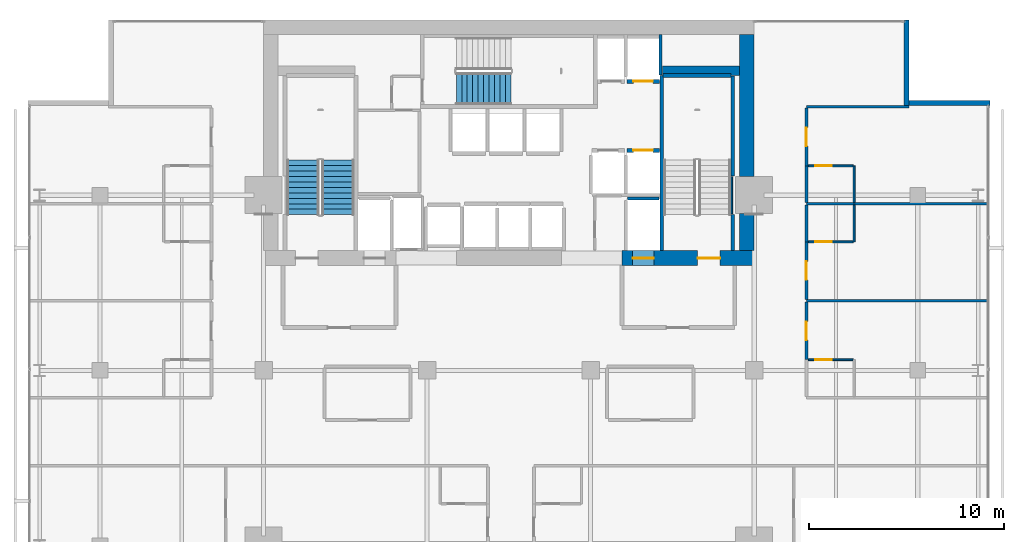
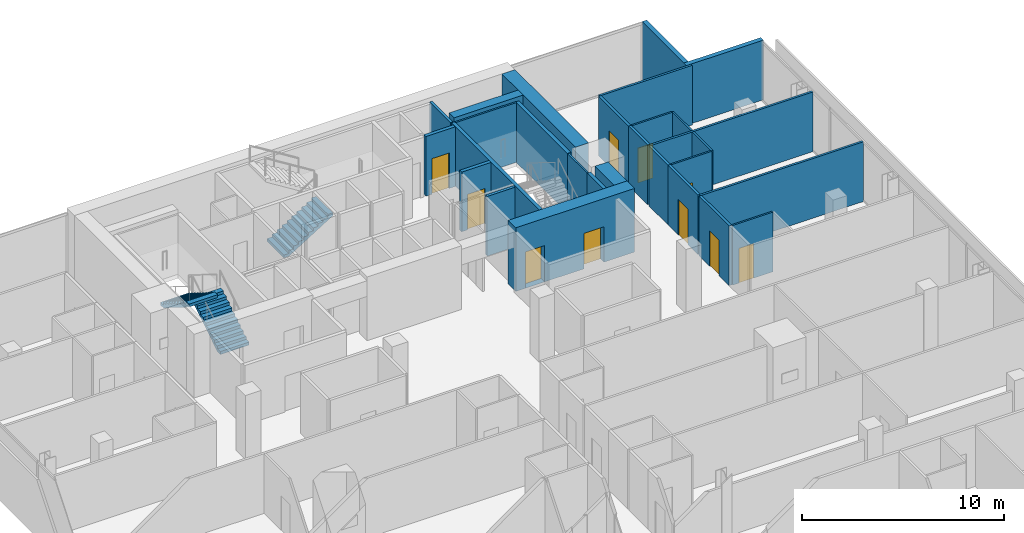
# One storey, part 31 of 34: 28 walls, 10 doors, 3 stair flights, 10 openings, 2 elements without a shape of their own.
"""IFC4 building model written with IfcOpenShell, lengths in metres."""

from ifc_helpers import new_model, si_unit, direction, frame, frame_2d, origin, place, context, subcontext, project, spatial, polyline, rectangle, outline, extrude, material, layer, layer_set, type_object, element, fill, aggregate, save


model = new_model("IFC4")

# Units and contexts
model_context = context("Model", 3, precision=1e-05, world=origin(), true_north=direction((0.0, 1.0)))
body_context = subcontext(model_context, "Body", "Model", "MODEL_VIEW")
ifc_project = project(units=[si_unit("LENGTHUNIT", "METRE"), si_unit("AREAUNIT", "SQUARE_METRE"), si_unit("VOLUMEUNIT", "CUBIC_METRE"), si_unit("PLANEANGLEUNIT", "RADIAN"), si_unit("MASSUNIT", "GRAM", prefix="KILO")], contexts=[model_context])

# Site, building, storey
site_placement = place(None, origin())
site = spatial("IfcSite", under=ifc_project, at=site_placement, CompositionType="ELEMENT")
building_placement = place(site_placement, origin())
building = spatial("IfcBuilding", under=site, at=building_placement, Name="Maruvema Waterfront Hotel and Observation Tower", CompositionType="ELEMENT")
storey_placement = place(building_placement, frame((0.0, 0.0, 212.10009765625)))
storey = spatial("IfcBuildingStorey", under=building, at=storey_placement, Name="L52", CompositionType="ELEMENT", Elevation=212.10009765625)

# Wall, opening, door
ifc_material_1 = material(Name="Twin-stud acoustic gypsum drywall", Category="gypsum")
ifc_layer_1 = layer(ifc_material_1, 0.14990234375, Name="Acoustic Corridor and Suite Demising Wall 150 mm")
ifc_layer_set_1 = layer_set([ifc_layer_1], Name="Twin-stud acoustic gypsum drywall")
wall_type_1 = type_object("IfcWallType", Name="Acoustic Corridor and Suite Demising Wall 150 mm", PredefinedType="PARTITIONING", material=ifc_layer_set_1)
wall_1_placement = place(storey_placement, frame((53.080078125, 36.550048828125, 0.0), z_axis=(0.0, 0.0, 1.0), x_axis=(0.0, 1.0, 0.0)))
wall_1 = element("IfcWall", 1, at=wall_1_placement, inside=storey, type_object=wall_type_1, Name="L52 Room L52-NE1 Corridor Wall 101", PredefinedType="PARTITIONING", context=body_context, shape_type="SweptSolid", body=[
    extrude(rectangle(XDim=2.96923828125, YDim=0.14990234375, at=frame_2d((1.484619140625, 0.0))), origin(), (0.0, 0.0, 1.0), 3.60986328125),
])
opening_1_placement = place(wall_1_placement, frame((1.009521484375, 0.0, 0.0)))
opening_1 = element("IfcOpeningElement", 2, at=opening_1_placement, cuts=wall_1, Name="Opening DR-095", PredefinedType="OPENING", context=body_context, shape_type="SweptSolid", body=[
    extrude(rectangle(XDim=0.949951171875, YDim=2.14990234375, at=frame_2d((0.47509765625, 1.074951171875))), frame((0.0, 0.0849609375, 0.0), z_axis=(0.0, -1.0, 0.0), x_axis=(1.0, 0.0, 0.0)), (0.0, 0.0, 1.0), 0.169921875),
])
ifc_material_2 = material(Name="Acoustic solid-core hardwood timber leaf", Category="wood")
door_type_1 = type_object("IfcDoorType", Name="Guestroom Entrance Fire Door 950x2150 mm", OperationType="NOTDEFINED", PredefinedType="DOOR", material=ifc_material_2)
door_1_placement = place(opening_1_placement, frame((0.949951171875, 0.0, 0.0), z_axis=(0.0, 0.0, 1.0), x_axis=(-1.0, 0.0, 0.0)))
door_1 = element("IfcDoor", 3, at=door_1_placement, inside=storey, type_object=door_type_1, Name="L52 Room L52-NE1 Entrance Door", OperationType="SINGLE_SWING_RIGHT", OverallHeight=2.14990234375, OverallWidth=0.949951171875, PredefinedType="DOOR", context=body_context, shape_type="SweptSolid", body=[
    extrude(rectangle(XDim=0.949951171875, YDim=2.14990234375, at=frame_2d((0.47509765625, 1.074951171875))), frame((0.0, 0.02490234375, 0.0), z_axis=(0.0, -1.0, 0.0), x_axis=(1.0, 0.0, 0.0)), (0.0, 0.0, 1.0), 0.050048828125),
])
fill(opening_1, door_1)

wall_2_placement = place(storey_placement, frame((53.080078125, 39.63916015625, 0.0), z_axis=(0.0, 0.0, 1.0), x_axis=(0.0, 1.0, 0.0)))
wall_2 = element("IfcWall", 4, at=wall_2_placement, inside=storey, type_object=wall_type_1, Name="L52 Room L52-NE2 Corridor Wall 110", PredefinedType="PARTITIONING", context=body_context, shape_type="SweptSolid", body=[
    extrude(rectangle(XDim=2.96923828125, YDim=0.14990234375, at=frame_2d((1.484619140625, 0.0))), origin(), (0.0, 0.0, 1.0), 3.60986328125),
])
opening_2_placement = place(wall_2_placement, frame((1.009521484375, 0.0, 0.0)))
opening_2 = element("IfcOpeningElement", 5, at=opening_2_placement, cuts=wall_2, Name="Opening DR-095", PredefinedType="OPENING", context=body_context, shape_type="SweptSolid", body=[
    extrude(rectangle(XDim=0.949951171875, YDim=2.14990234375, at=frame_2d((0.47509765625, 1.074951171875))), frame((0.0, 0.0849609375, 0.0), z_axis=(0.0, -1.0, 0.0), x_axis=(1.0, 0.0, 0.0)), (0.0, 0.0, 1.0), 0.169921875),
])
door_2_placement = place(opening_2_placement, frame((0.949951171875, 0.0, 0.0), z_axis=(0.0, 0.0, 1.0), x_axis=(-1.0, 0.0, 0.0)))
door_2 = element("IfcDoor", 6, at=door_2_placement, inside=storey, type_object=door_type_1, Name="L52 Room L52-NE2 Entrance Door", OperationType="SINGLE_SWING_RIGHT", OverallHeight=2.14990234375, OverallWidth=0.949951171875, PredefinedType="DOOR", context=body_context, shape_type="SweptSolid", body=[
    extrude(rectangle(XDim=0.949951171875, YDim=2.14990234375, at=frame_2d((0.47509765625, 1.074951171875))), frame((0.0, 0.02490234375, 0.0), z_axis=(0.0, -1.0, 0.0), x_axis=(1.0, 0.0, 0.0)), (0.0, 0.0, 1.0), 0.050048828125),
])
fill(opening_2, door_2)

# Walls
for number, where, z_axis, x_axis, name in (
    (7, (53.080078125, 42.6083984375, 0.0), (0.0, 0.0, 1.0), (0.0, 1.0, 0.0), "L52 Bath L52-NE2 Wall 111"),
    (8, (53.080078125, 44.618408203125, 0.0), (0.0, 0.0, 1.0), (0.0, 1.0, 0.0), "L52 Bath L52-NE3 Wall 120"),
):
    element("IfcWall", number, at=place(storey_placement, frame(where, z_axis=z_axis, x_axis=x_axis)), inside=storey, type_object=wall_type_1, Name=name, PredefinedType="PARTITIONING", context=body_context, shape_type="SweptSolid", body=[
        extrude(rectangle(XDim=1.889892578125, YDim=0.14990234375, at=frame_2d((0.94482421875, 0.0))), origin(), (0.0, 0.0, 1.0), 3.60986328125),
    ])

# Wall, opening, door
wall_3_placement = place(storey_placement, frame((53.080078125, 46.50830078125, 0.0), z_axis=(0.0, 0.0, 1.0), x_axis=(0.0, 1.0, 0.0)))
wall_3 = element("IfcWall", 9, at=wall_3_placement, inside=storey, type_object=wall_type_1, Name="L52 Room L52-NE3 Corridor Wall 121", PredefinedType="PARTITIONING", context=body_context, shape_type="SweptSolid", body=[
    extrude(rectangle(XDim=2.96923828125, YDim=0.14990234375, at=frame_2d((1.484619140625, 0.0))), origin(), (0.0, 0.0, 1.0), 3.60986328125),
])
opening_3_placement = place(wall_3_placement, frame((1.009521484375, 0.0, 0.0)))
opening_3 = element("IfcOpeningElement", 10, at=opening_3_placement, cuts=wall_3, Name="Opening DR-095", PredefinedType="OPENING", context=body_context, shape_type="SweptSolid", body=[
    extrude(rectangle(XDim=0.949951171875, YDim=2.14990234375, at=frame_2d((0.47509765625, 1.074951171875))), frame((0.0, 0.0849609375, 0.0), z_axis=(0.0, -1.0, 0.0), x_axis=(1.0, 0.0, 0.0)), (0.0, 0.0, 1.0), 0.169921875),
])
door_3_placement = place(opening_3_placement, frame((0.949951171875, 0.0, 0.0), z_axis=(0.0, 0.0, 1.0), x_axis=(-1.0, 0.0, 0.0)))
door_3 = element("IfcDoor", 11, at=door_3_placement, inside=storey, type_object=door_type_1, Name="L52 Room L52-NE3 Entrance Door", OperationType="SINGLE_SWING_RIGHT", OverallHeight=2.14990234375, OverallWidth=0.949951171875, PredefinedType="DOOR", context=body_context, shape_type="SweptSolid", body=[
    extrude(rectangle(XDim=0.949951171875, YDim=2.14990234375, at=frame_2d((0.47509765625, 1.074951171875))), frame((0.0, 0.02490234375, 0.0), z_axis=(0.0, -1.0, 0.0), x_axis=(1.0, 0.0, 0.0)), (0.0, 0.0, 1.0), 0.050048828125),
])
fill(opening_3, door_3)

# Walls
ifc_material_3 = material(Name="Precast concrete C45/55", Category="concrete")
ifc_layer_2 = layer(ifc_material_3, 0.199951171875, Name="Core Shaft and Stairwell Enclosure Wall 200 mm")
ifc_layer_set_2 = layer_set([ifc_layer_2], Name="Precast concrete C45/55")
wall_type_2 = type_object("IfcWallType", Name="Core Shaft and Stairwell Enclosure Wall 200 mm", PredefinedType="SOLIDWALL", material=ifc_layer_set_2)
wall_4_placement = place(storey_placement, frame((45.64990234375, 42.14990234375, 0.0), z_axis=(0.0, 0.0, 1.0), x_axis=(0.0, 1.0, 0.0)))
element("IfcWall", 12, at=wall_4_placement, inside=storey, type_object=wall_type_2, Name="L52 Stairwell ST-03 West Shaft Wall", PredefinedType="SOLIDWALL", context=body_context, shape_type="SweptSolid", body=[
    extrude(rectangle(XDim=9.0, YDim=0.199951171875, at=frame_2d((4.5, 0.0))), origin(), (0.0, 0.0, 1.0), 3.60986328125),
])
wall_5_placement = place(storey_placement, frame((49.300048828125, 42.14990234375, 0.0), z_axis=(0.0, 0.0, 1.0), x_axis=(0.0, 1.0, 0.0)))
element("IfcWall", 13, at=wall_5_placement, inside=storey, type_object=wall_type_2, Name="L52 Stairwell ST-03 Shaft Lining Wall", PredefinedType="SOLIDWALL", context=body_context, shape_type="SweptSolid", body=[
    extrude(rectangle(XDim=1.8701171875, YDim=0.199951171875, at=frame_2d((0.93505859375, 0.0))), origin(), (0.0, 0.0, 1.0), 3.60986328125),
])
wall_6_placement = place(storey_placement, frame((49.300048828125, 45.97998046875, 0.0), z_axis=(0.0, 0.0, 1.0), x_axis=(0.0, 1.0, 0.0)))
element("IfcWall", 14, at=wall_6_placement, inside=storey, type_object=wall_type_2, Name="L52 Stairwell ST-03 Shaft Lining Wall", PredefinedType="SOLIDWALL", context=body_context, shape_type="SweptSolid", body=[
    extrude(rectangle(XDim=5.14013671875, YDim=0.199951171875, at=frame_2d((2.570068359375, 0.0))), origin(), (0.0, 0.0, 1.0), 3.60986328125),
])
wall_7_placement = place(storey_placement, frame((45.719970703125, 51.14990234375, 0.0), z_axis=(0.0, 0.0, 1.0), x_axis=(1.0, 0.0, 0.0)))
element("IfcWall", 15, at=wall_7_placement, inside=storey, type_object=wall_type_2, Name="L52 Stairwell ST-03 Shaft Lining Wall", PredefinedType="SOLIDWALL", context=body_context, shape_type="SweptSolid", body=[
    extrude(rectangle(XDim=3.5, YDim=0.199951171875, at=frame_2d((1.75, 0.0))), origin(), (0.0, 0.0, 1.0), 3.60986328125),
])

# Wall, opening, door
wall_8_placement = place(storey_placement, frame((43.860107421875, 47.300048828125, 0.0), z_axis=(0.0, 0.0, 1.0), x_axis=(1.0, 0.0, 0.0)))
wall_8 = element("IfcWall", 16, at=wall_8_placement, inside=storey, type_object=wall_type_2, Name="L52 Lift LF-06 Hoistway Front Wall", PredefinedType="SOLIDWALL", context=body_context, shape_type="SweptSolid", body=[
    extrude(rectangle(XDim=1.679931640625, YDim=0.199951171875, at=frame_2d((0.83984375, 0.0))), origin(), (0.0, 0.0, 1.0), 3.60986328125),
])
opening_4_placement = place(wall_8_placement, frame((0.340087890625, 0.0, 0.0)))
opening_4 = element("IfcOpeningElement", 17, at=opening_4_placement, cuts=wall_8, Name="Opening LD-01", PredefinedType="OPENING", context=body_context, shape_type="SweptSolid", body=[
    extrude(rectangle(XDim=1.0, YDim=2.14990234375, at=frame_2d((0.5, 1.074951171875))), frame((0.0, 0.10986328125, 0.0), z_axis=(0.0, -1.0, 0.0), x_axis=(1.0, 0.0, 0.0)), (0.0, 0.0, 1.0), 0.219970703125),
])
ifc_material_4 = material(Name="Brushed stainless steel Grade 316", Category="steel")
door_type_2 = type_object("IfcDoorType", Name="Passenger Lift Sliding Landing Door 1000x2150 mm", OperationType="SLIDING_TO_LEFT", PredefinedType="DOOR", material=ifc_material_4)
door_4_placement = place(opening_4_placement, origin())
door_4 = element("IfcDoor", 18, at=door_4_placement, inside=storey, type_object=door_type_2, Name="L52 Lift LF-06 Sliding Landing Door", OperationType="SLIDING_TO_LEFT", OverallHeight=2.14990234375, OverallWidth=1.0, PredefinedType="DOOR", context=body_context, shape_type="SweptSolid", body=[
    extrude(rectangle(XDim=1.0, YDim=2.14990234375, at=frame_2d((0.5, 1.074951171875))), frame((0.0, 0.02490234375, 0.0), z_axis=(0.0, -1.0, 0.0), x_axis=(1.0, 0.0, 0.0)), (0.0, 0.0, 1.0), 0.050048828125),
])
fill(opening_4, door_4)

wall_9_placement = place(storey_placement, frame((43.860107421875, 50.85009765625, 0.0), z_axis=(0.0, 0.0, 1.0), x_axis=(1.0, 0.0, 0.0)))
wall_9 = element("IfcWall", 19, at=wall_9_placement, inside=storey, type_object=wall_type_2, Name="L52 Lift LF-08 Hoistway Front Wall", PredefinedType="SOLIDWALL", context=body_context, shape_type="SweptSolid", body=[
    extrude(rectangle(XDim=1.679931640625, YDim=0.199951171875, at=frame_2d((0.83984375, 0.0))), origin(), (0.0, 0.0, 1.0), 3.60986328125),
])
opening_5_placement = place(wall_9_placement, frame((0.340087890625, 0.0, 0.0)))
opening_5 = element("IfcOpeningElement", 20, at=opening_5_placement, cuts=wall_9, Name="Opening LD-01", PredefinedType="OPENING", context=body_context, shape_type="SweptSolid", body=[
    extrude(rectangle(XDim=1.0, YDim=2.14990234375, at=frame_2d((0.5, 1.074951171875))), frame((0.0, 0.10986328125, 0.0), z_axis=(0.0, -1.0, 0.0), x_axis=(1.0, 0.0, 0.0)), (0.0, 0.0, 1.0), 0.219970703125),
])
door_5_placement = place(opening_5_placement, frame((1.0, 0.0, 0.0), z_axis=(0.0, 0.0, 1.0), x_axis=(-1.0, 0.0, 0.0)))
door_5 = element("IfcDoor", 21, at=door_5_placement, inside=storey, type_object=door_type_2, Name="L52 Lift LF-08 Sliding Landing Door", OperationType="SLIDING_TO_LEFT", OverallHeight=2.14990234375, OverallWidth=1.0, PredefinedType="DOOR", context=body_context, shape_type="SweptSolid", body=[
    extrude(rectangle(XDim=1.0, YDim=2.14990234375, at=frame_2d((0.5, 1.074951171875))), frame((0.0, 0.02490234375, 0.0), z_axis=(0.0, -1.0, 0.0), x_axis=(1.0, 0.0, 0.0)), (0.0, 0.0, 1.0), 0.050048828125),
])
fill(opening_5, door_5)

# Wall
ifc_material_5 = material(Name="Concrete C70/85", Category="concrete")
ifc_layer_3 = layer(ifc_material_5, 0.5, Name="Core Shear Wall 500 mm")
ifc_layer_set_3 = layer_set([ifc_layer_3], Name="Concrete C70/85")
wall_type_3 = type_object("IfcWallType", Name="Core Shear Wall 500 mm", PredefinedType="SHEAR", material=ifc_layer_set_3)
wall_10_placement = place(storey_placement, frame((45.699951171875, 51.39990234375, 0.0), z_axis=(0.0, 0.0, 1.0), x_axis=(1.0, 0.0, 0.0)))
element("IfcWall", 22, at=wall_10_placement, inside=storey, type_object=wall_type_3, Name="L52 Internal Core Shear Wall NE 500 mm", PredefinedType="SHEAR", context=body_context, shape_type="SweptSolid", body=[
    extrude(rectangle(XDim=3.949951171875, YDim=0.5, at=frame_2d((1.97509765625, 0.0))), origin(), (0.0, 0.0, 1.0), 3.849853515625),
])

# Wall, openings, doors
ifc_material_6 = material(Name="Concrete C70/85", Category="concrete")
ifc_layer_4 = layer(ifc_material_6, 0.75, Name="Core Shear Wall 750 mm")
ifc_layer_set_4 = layer_set([ifc_layer_4], Name="Concrete C70/85")
wall_type_4 = type_object("IfcWallType", Name="Core Shear Wall 750 mm", PredefinedType="SHEAR", material=ifc_layer_set_4)
wall_11_placement = place(storey_placement, frame((43.60009765625, 41.77490234375, 0.0), z_axis=(0.0, 0.0, 1.0), x_axis=(1.0, 0.0, 0.0)))
wall_11 = element("IfcWall", 23, at=wall_11_placement, inside=storey, type_object=wall_type_4, Name="L52 South-East Core Shear Wall", PredefinedType="SHEAR", context=body_context, shape_type="SweptSolid", body=[
    extrude(rectangle(XDim=6.7998046875, YDim=0.75, at=frame_2d((3.39990234375, 0.0))), origin(), (0.0, 0.0, 1.0), 3.849853515625),
])
opening_6_placement = place(wall_11_placement, frame((3.89990234375, 0.0, 0.0)))
opening_6 = element("IfcOpeningElement", 24, at=opening_6_placement, cuts=wall_11, Name="Opening SD-01", PredefinedType="OPENING", context=body_context, shape_type="SweptSolid", body=[
    extrude(rectangle(XDim=1.14990234375, YDim=2.14990234375, at=frame_2d((0.574951171875, 1.074951171875))), frame((0.0, 0.385009765625, 0.0), z_axis=(0.0, -1.0, 0.0), x_axis=(1.0, 0.0, 0.0)), (0.0, 0.0, 1.0), 0.77001953125),
])
opening_7_placement = place(wall_11_placement, frame((0.550048828125, 0.0, 0.0)))
opening_7 = element("IfcOpeningElement", 25, at=opening_7_placement, cuts=wall_11, Name="Opening LD-03", PredefinedType="OPENING", context=body_context, shape_type="SweptSolid", body=[
    extrude(rectangle(XDim=1.10009765625, YDim=2.199951171875, at=frame_2d((0.550048828125, 1.10009765625))), frame((0.0, 0.385009765625, 0.0), z_axis=(0.0, -1.0, 0.0), x_axis=(1.0, 0.0, 0.0)), (0.0, 0.0, 1.0), 0.77001953125),
])
ifc_material_7 = material(Name="Fire-rated galvanised steel leaf", Category="steel")
door_type_3 = type_object("IfcDoorType", Name="Exit Stair Fire Door 1150x2150 mm", OperationType="NOTDEFINED", PredefinedType="DOOR", material=ifc_material_7)
door_6_placement = place(opening_6_placement, origin())
door_6 = element("IfcDoor", 26, at=door_6_placement, inside=storey, type_object=door_type_3, Name="L52 Exit Stair ST-03 Fire Door", OperationType="SINGLE_SWING_RIGHT", OverallHeight=2.14990234375, OverallWidth=1.14990234375, PredefinedType="DOOR", context=body_context, shape_type="SweptSolid", body=[
    extrude(rectangle(XDim=1.14990234375, YDim=2.14990234375, at=frame_2d((0.574951171875, 1.074951171875))), frame((0.0, 0.02490234375, 0.0), z_axis=(0.0, -1.0, 0.0), x_axis=(1.0, 0.0, 0.0)), (0.0, 0.0, 1.0), 0.050048828125),
])
fill(opening_6, door_6)
ifc_material_8 = material(Name="Brushed stainless steel Grade 316", Category="steel")
door_type_4 = type_object("IfcDoorType", Name="Firefighting Lift Sliding Landing Door 1100x2200 mm", OperationType="SLIDING_TO_LEFT", PredefinedType="DOOR", material=ifc_material_8)
door_7_placement = place(opening_7_placement, frame((1.10009765625, 0.0, 0.0), z_axis=(0.0, 0.0, 1.0), x_axis=(-1.0, 0.0, 0.0)))
door_7 = element("IfcDoor", 27, at=door_7_placement, inside=storey, type_object=door_type_4, Name="L52 Firefighting Lift FL-02 Landing Door", OperationType="SLIDING_TO_LEFT", OverallHeight=2.199951171875, OverallWidth=1.10009765625, PredefinedType="DOOR", context=body_context, shape_type="SweptSolid", body=[
    extrude(rectangle(XDim=1.10009765625, YDim=2.199951171875, at=frame_2d((0.550048828125, 1.10009765625))), frame((0.0, 0.02490234375, 0.0), z_axis=(0.0, -1.0, 0.0), x_axis=(1.0, 0.0, 0.0)), (0.0, 0.0, 1.0), 0.050048828125),
])
fill(opening_7, door_7)

# Walls
wall_12_placement = place(storey_placement, frame((50.02490234375, 42.14990234375, 0.0), z_axis=(0.0, 0.0, 1.0), x_axis=(0.0, 1.0, 0.0)))
element("IfcWall", 28, at=wall_12_placement, inside=storey, type_object=wall_type_4, Name="L52 East-South Core Shear Wall", PredefinedType="SHEAR", context=body_context, shape_type="SweptSolid", body=[
    extrude(rectangle(XDim=1.900146484375, YDim=0.75, at=frame_2d((0.9501953125, 0.0))), origin(), (0.0, 0.0, 1.0), 3.849853515625),
])
wall_13_placement = place(storey_placement, frame((50.02490234375, 45.949951171875, 0.0), z_axis=(0.0, 0.0, 1.0), x_axis=(0.0, 1.0, 0.0)))
element("IfcWall", 29, at=wall_13_placement, inside=storey, type_object=wall_type_4, Name="L52 East-North Core Shear Wall", PredefinedType="SHEAR", context=body_context, shape_type="SweptSolid", body=[
    extrude(rectangle(XDim=7.300048828125, YDim=0.75, at=frame_2d((3.64990234375, 0.0))), origin(), (0.0, 0.0, 1.0), 3.849853515625),
])

# Wall, opening, door
ifc_material_9 = material(Name="Moisture-resistant cement-board drywall", Category="gypsum")
ifc_layer_5 = layer(ifc_material_9, 0.10009765625, Name="En-Suite Moisture-Resistant Partition 100 mm")
ifc_layer_set_5 = layer_set([ifc_layer_5], Name="Moisture-resistant cement-board drywall")
wall_type_5 = type_object("IfcWallType", Name="En-Suite Moisture-Resistant Partition 100 mm", PredefinedType="PARTITIONING", material=ifc_layer_set_5)
wall_14_placement = place(storey_placement, frame((53.179931640625, 36.550048828125, 0.0), z_axis=(0.0, 0.0, 1.0), x_axis=(1.0, 0.0, 0.0)))
wall_14 = element("IfcWall", 30, at=wall_14_placement, inside=storey, type_object=wall_type_5, Name="L52 En-Suite L52-NE1 N 103", PredefinedType="PARTITIONING", context=body_context, shape_type="SweptSolid", body=[
    extrude(rectangle(XDim=2.300048828125, YDim=0.10009765625, at=frame_2d((1.14990234375, 0.0))), origin(), (0.0, 0.0, 1.0), 3.60986328125),
])
opening_8_placement = place(wall_14_placement, frame((0.35009765625, 0.0, 0.0)))
opening_8 = element("IfcOpeningElement", 31, at=opening_8_placement, cuts=wall_14, Name="Opening DR-085", PredefinedType="OPENING", context=body_context, shape_type="SweptSolid", body=[
    extrude(rectangle(XDim=0.85009765625, YDim=2.10009765625, at=frame_2d((0.425048828125, 1.050048828125))), frame((0.0, 0.06005859375, 0.0), z_axis=(0.0, -1.0, 0.0), x_axis=(1.0, 0.0, 0.0)), (0.0, 0.0, 1.0), 0.1201171875),
])
ifc_material_10 = material(Name="Moisture-resistant solid timber leaf", Category="wood")
door_type_5 = type_object("IfcDoorType", Name="En-Suite Bathroom Door 850x2100 mm", OperationType="NOTDEFINED", PredefinedType="DOOR", material=ifc_material_10)
door_8_placement = place(opening_8_placement, origin())
door_8 = element("IfcDoor", 32, at=door_8_placement, inside=storey, type_object=door_type_5, Name="L52 En-Suite L52-NE1 Door", OperationType="SINGLE_SWING_LEFT", OverallHeight=2.10009765625, OverallWidth=0.85009765625, PredefinedType="DOOR", context=body_context, shape_type="SweptSolid", body=[
    extrude(rectangle(XDim=0.85009765625, YDim=2.10009765625, at=frame_2d((0.425048828125, 1.050048828125))), frame((0.0, 0.02490234375, 0.0), z_axis=(0.0, -1.0, 0.0), x_axis=(1.0, 0.0, 0.0)), (0.0, 0.0, 1.0), 0.050048828125),
])
fill(opening_8, door_8)

# Wall
wall_15_placement = place(storey_placement, frame((55.530029296875, 42.6083984375, 0.0), z_axis=(0.0, 0.0, 1.0), x_axis=(0.0, 1.0, 0.0)))
element("IfcWall", 33, at=wall_15_placement, inside=storey, type_object=wall_type_5, Name="L52 En-Suite L52-NE2 E 112", PredefinedType="PARTITIONING", context=body_context, shape_type="SweptSolid", body=[
    extrude(rectangle(XDim=1.889892578125, YDim=0.10009765625, at=frame_2d((0.94482421875, 0.0))), origin(), (0.0, 0.0, 1.0), 3.60986328125),
])

# Wall, opening, door
wall_16_placement = place(storey_placement, frame((53.179931640625, 42.6083984375, 0.0), z_axis=(0.0, 0.0, 1.0), x_axis=(1.0, 0.0, 0.0)))
wall_16 = element("IfcWall", 34, at=wall_16_placement, inside=storey, type_object=wall_type_5, Name="L52 En-Suite L52-NE2 S 113", PredefinedType="PARTITIONING", context=body_context, shape_type="SweptSolid", body=[
    extrude(rectangle(XDim=2.300048828125, YDim=0.10009765625, at=frame_2d((1.14990234375, 0.0))), origin(), (0.0, 0.0, 1.0), 3.60986328125),
])
opening_9_placement = place(wall_16_placement, frame((0.35009765625, 0.0, 0.0)))
opening_9 = element("IfcOpeningElement", 35, at=opening_9_placement, cuts=wall_16, Name="Opening DR-085", PredefinedType="OPENING", context=body_context, shape_type="SweptSolid", body=[
    extrude(rectangle(XDim=0.85009765625, YDim=2.10009765625, at=frame_2d((0.425048828125, 1.050048828125))), frame((0.0, 0.06005859375, 0.0), z_axis=(0.0, -1.0, 0.0), x_axis=(1.0, 0.0, 0.0)), (0.0, 0.0, 1.0), 0.1201171875),
])
door_9_placement = place(opening_9_placement, frame((0.85009765625, 0.0, 0.0), z_axis=(0.0, 0.0, 1.0), x_axis=(-1.0, 0.0, 0.0)))
door_9 = element("IfcDoor", 36, at=door_9_placement, inside=storey, type_object=door_type_5, Name="L52 En-Suite L52-NE2 Door", OperationType="SINGLE_SWING_LEFT", OverallHeight=2.10009765625, OverallWidth=0.85009765625, PredefinedType="DOOR", context=body_context, shape_type="SweptSolid", body=[
    extrude(rectangle(XDim=0.85009765625, YDim=2.10009765625, at=frame_2d((0.425048828125, 1.050048828125))), frame((0.0, 0.02490234375, 0.0), z_axis=(0.0, -1.0, 0.0), x_axis=(1.0, 0.0, 0.0)), (0.0, 0.0, 1.0), 0.050048828125),
])
fill(opening_9, door_9)

# Wall
wall_17_placement = place(storey_placement, frame((55.530029296875, 44.618408203125, 0.0), z_axis=(0.0, 0.0, 1.0), x_axis=(0.0, 1.0, 0.0)))
element("IfcWall", 37, at=wall_17_placement, inside=storey, type_object=wall_type_5, Name="L52 En-Suite L52-NE3 E 122", PredefinedType="PARTITIONING", context=body_context, shape_type="SweptSolid", body=[
    extrude(rectangle(XDim=1.889892578125, YDim=0.10009765625, at=frame_2d((0.94482421875, 0.0))), origin(), (0.0, 0.0, 1.0), 3.60986328125),
])

# Wall, opening, door
wall_18_placement = place(storey_placement, frame((53.179931640625, 46.50830078125, 0.0), z_axis=(0.0, 0.0, 1.0), x_axis=(1.0, 0.0, 0.0)))
wall_18 = element("IfcWall", 38, at=wall_18_placement, inside=storey, type_object=wall_type_5, Name="L52 En-Suite L52-NE3 N 123", PredefinedType="PARTITIONING", context=body_context, shape_type="SweptSolid", body=[
    extrude(rectangle(XDim=2.300048828125, YDim=0.10009765625, at=frame_2d((1.14990234375, 0.0))), origin(), (0.0, 0.0, 1.0), 3.60986328125),
])
opening_10_placement = place(wall_18_placement, frame((0.35009765625, 0.0, 0.0)))
opening_10 = element("IfcOpeningElement", 39, at=opening_10_placement, cuts=wall_18, Name="Opening DR-085", PredefinedType="OPENING", context=body_context, shape_type="SweptSolid", body=[
    extrude(rectangle(XDim=0.85009765625, YDim=2.10009765625, at=frame_2d((0.425048828125, 1.050048828125))), frame((0.0, 0.06005859375, 0.0), z_axis=(0.0, -1.0, 0.0), x_axis=(1.0, 0.0, 0.0)), (0.0, 0.0, 1.0), 0.1201171875),
])
door_10_placement = place(opening_10_placement, origin())
door_10 = element("IfcDoor", 40, at=door_10_placement, inside=storey, type_object=door_type_5, Name="L52 En-Suite L52-NE3 Door", OperationType="SINGLE_SWING_LEFT", OverallHeight=2.10009765625, OverallWidth=0.85009765625, PredefinedType="DOOR", context=body_context, shape_type="SweptSolid", body=[
    extrude(rectangle(XDim=0.85009765625, YDim=2.10009765625, at=frame_2d((0.425048828125, 1.050048828125))), frame((0.0, 0.02490234375, 0.0), z_axis=(0.0, -1.0, 0.0), x_axis=(1.0, 0.0, 0.0)), (0.0, 0.0, 1.0), 0.050048828125),
])
fill(opening_10, door_10)

# Walls
ifc_material_11 = material(Name="Precast concrete C45/55 with honed Pernambuco granite facing", Category="masonry")
ifc_layer_6 = layer(ifc_material_11, 0.260009765625, Name="Exterior Granite Clad Spandrel and Pier Wall 260 mm")
ifc_layer_set_6 = layer_set([ifc_layer_6], Name="Precast concrete C45/55 with honed Pernambuco granite facing")
wall_type_6 = type_object("IfcWallType", Name="Exterior Granite Clad Spandrel and Pier Wall 260 mm", PredefinedType="SOLIDWALL", material=ifc_layer_set_6)
for number, where, z_axis, x_axis, name in (
    (41, (58.22998046875, 54.0, 0.0), (0.0, 0.0, 1.0), (0.0, -1.0, 0.0), "L52 Corner Notch Granite Pier Wall NE1"),
    (42, (58.10009765625, 49.72998046875, 0.0), (0.0, 0.0, 1.0), (1.0, 0.0, 0.0), "L52 Corner Notch Granite Pier Wall NE2"),
):
    element("IfcWall", number, at=place(storey_placement, frame(where, z_axis=z_axis, x_axis=x_axis)), inside=storey, type_object=wall_type_6, Name=name, PredefinedType="SOLIDWALL", context=body_context, shape_type="SweptSolid", body=[
        extrude(rectangle(XDim=4.39990234375, YDim=0.260009765625, at=frame_2d((2.199951171875, 0.0))), origin(), (0.0, 0.0, 1.0), 3.60986328125),
    ])
ifc_material_12 = material(Name="Acoustic gypsum plasterboard drywall", Category="gypsum")
ifc_layer_7 = layer(ifc_material_12, 0.125, Name="Guestroom Acoustic Demising Wall 125 mm")
ifc_layer_set_7 = layer_set([ifc_layer_7], Name="Acoustic gypsum plasterboard drywall")
wall_type_7 = type_object("IfcWallType", Name="Guestroom Acoustic Demising Wall 125 mm", PredefinedType="PARTITIONING", material=ifc_layer_set_7)
wall_19_placement = place(storey_placement, frame((53.080078125, 49.53759765625, 0.0), z_axis=(0.0, 0.0, 1.0), x_axis=(1.0, 0.0, 0.0)))
element("IfcWall", 43, at=wall_19_placement, inside=storey, type_object=wall_type_7, Name="L52 Z2 NE Top End 095", PredefinedType="PARTITIONING", context=body_context, shape_type="SweptSolid", body=[
    extrude(rectangle(XDim=5.280029296875, YDim=0.125, at=frame_2d((2.64013671875, 0.0))), origin(), (0.0, 0.0, 1.0), 3.60986328125),
])
for number, where, z_axis, x_axis, name in (
    (44, (53.080078125, 39.5791015625, 0.0), (0.0, 0.0, 1.0), (1.0, 0.0, 0.0), "L52 Z2 NE Demising 2 105"),
    (45, (53.080078125, 44.558349609375, 0.0), (0.0, 0.0, 1.0), (1.0, 0.0, 0.0), "L52 Z2 NE Demising 3 115"),
):
    element("IfcWall", number, at=place(storey_placement, frame(where, z_axis=z_axis, x_axis=x_axis)), inside=storey, type_object=wall_type_7, Name=name, PredefinedType="PARTITIONING", context=body_context, shape_type="SweptSolid", body=[
        extrude(rectangle(XDim=9.31982421875, YDim=0.125, at=frame_2d((4.659912109375, 0.0))), origin(), (0.0, 0.0, 1.0), 3.60986328125),
    ])
ifc_material_13 = material(Name="Precast concrete C45/55", Category="concrete")
ifc_layer_8 = layer(ifc_material_13, 0.159912109375, Name="Lift Hoistway Divider Wall 160 mm")
ifc_layer_set_8 = layer_set([ifc_layer_8], Name="Precast concrete C45/55")
wall_type_8 = type_object("IfcWallType", Name="Lift Hoistway Divider Wall 160 mm", PredefinedType="SOLIDWALL", material=ifc_layer_set_8)
wall_20_placement = place(storey_placement, frame((43.89990234375, 44.830078125, 0.0), z_axis=(0.0, 0.0, 1.0), x_axis=(1.0, 0.0, 0.0)))
element("IfcWall", 46, at=wall_20_placement, inside=storey, type_object=wall_type_8, Name="L52 Lift FL-02 Rear Hoistway Wall", PredefinedType="SOLIDWALL", context=body_context, shape_type="SweptSolid", body=[
    extrude(rectangle(XDim=1.60009765625, YDim=0.159912109375, at=frame_2d((0.800048828125, 0.0))), origin(), (0.0, 0.0, 1.0), 3.60986328125),
])
wall_21_placement = place(storey_placement, frame((45.590087890625, 51.179931640625, 0.0), z_axis=(0.0, 0.0, 1.0), x_axis=(0.0, 1.0, 0.0)))
element("IfcWall", 47, at=wall_21_placement, inside=storey, type_object=wall_type_8, Name="L52 Hoistway Divider Wall", PredefinedType="SOLIDWALL", context=body_context, shape_type="SweptSolid", body=[
    extrude(rectangle(XDim=2.070068359375, YDim=0.159912109375, at=frame_2d((1.03515625, 0.0))), origin(), (0.0, 0.0, 1.0), 3.60986328125),
])
ifc_material_14 = material(Name="Precast concrete C45/55", Category="concrete")
ifc_layer_9 = layer(ifc_material_14, 0.10009765625, Name="Stairwell Stringer Cheek Wall 100 mm")
ifc_layer_set_9 = layer_set([ifc_layer_9], Name="Precast concrete C45/55")
wall_type_9 = type_object("IfcWallType", Name="Stairwell Stringer Cheek Wall 100 mm", PredefinedType="SOLIDWALL", material=ifc_layer_set_9)
wall_22_placement = place(storey_placement, frame((49.248046875, 44.0400390625, 0.0), z_axis=(0.0, 0.0, 1.0), x_axis=(0.0, 1.0, 0.0)))
element("IfcWall", 48, at=wall_22_placement, inside=storey, type_object=wall_type_9, Name="L52 Stairwell ST-03 Mega-Column Cheek Wall", PredefinedType="SOLIDWALL", context=body_context, shape_type="SweptSolid", body=[
    extrude(rectangle(XDim=1.919921875, YDim=0.10009765625, at=frame_2d((0.9599609375, 0.0))), origin(), (0.0, 0.0, 1.0), 3.60986328125),
])

# Stair, stair flights
ifc_material_15 = material(Name="Concrete C50/60", Category="concrete")
stair_type = type_object("IfcStairType", Name="Dogleg Exit Stair 1650 mm (22R x 175.0 mm)", PredefinedType="HALF_TURN_STAIR", material=ifc_material_15)
stair_1_placement = place(storey_placement, origin())
stair_1 = element("IfcStair", 49, at=stair_1_placement, inside=storey, type_object=stair_type, Name="L52 ST-01", PredefinedType="HALF_TURN_STAIR")
ifc_material_16 = material(Name="Concrete C50/60", Category="concrete")
stair_flight_type = type_object("IfcStairFlightType", Name="Reinforced Concrete Stair Flight 1650 mm (11R x 175.0 mm)", PredefinedType="STRAIGHT", material=ifc_material_16)
stair_flight_1_placement = place(storey_placement, frame((29.02490234375, 44.0, 0.0), z_axis=(0.0, 0.0, 1.0), x_axis=(0.0, 1.0, 0.0)))
stair_flight_1 = element("IfcStairFlight", 50, at=stair_flight_1_placement, type_object=stair_flight_type, Name="ST-01 flight 1", NumberOfRisers=11, NumberOfTreads=10, PredefinedType="STRAIGHT", RiserHeight=0.175, TreadLength=0.28, context=body_context, shape_type="SweptSolid", body=[
    extrude(outline(polyline([(0.0, 0.0), (0.0, 0.175048828125), (0.280029296875, 0.175048828125), (0.280029296875, 0.35009765625), (0.56005859375, 0.35009765625), (0.56005859375, 0.52490234375), (0.840087890625, 0.52490234375), (0.840087890625, 0.699951171875), (1.1201171875, 0.699951171875), (1.1201171875, 0.875), (1.39990234375, 0.875), (1.39990234375, 1.050048828125), (1.679931640625, 1.050048828125), (1.679931640625, 1.22509765625), (1.9599609375, 1.22509765625), (1.9599609375, 1.39990234375), (2.239990234375, 1.39990234375), (2.239990234375, 1.574951171875), (2.52001953125, 1.574951171875), (2.52001953125, 1.75), (2.800048828125, 1.75), (2.800048828125, 1.925048828125), (2.800048828125, 1.5732421875), (0.28271484375, 0.0), (0.0, 0.0)])), frame((0.0, 0.824951171875, 0.0), z_axis=(0.0, -1.0, 0.0), x_axis=(1.0, 0.0, 0.0)), (0.0, 0.0, 1.0), 1.64990234375),
])
stair_flight_2_placement = place(storey_placement, frame((27.22509765625, 46.800048828125, 1.9248046875), z_axis=(0.0, 0.0, 1.0), x_axis=(0.0, -1.0, 0.0)))
stair_flight_2 = element("IfcStairFlight", 51, at=stair_flight_2_placement, type_object=stair_flight_type, Name="ST-01 flight 2", NumberOfRisers=11, NumberOfTreads=10, PredefinedType="STRAIGHT", RiserHeight=0.175, TreadLength=0.28, context=body_context, shape_type="SweptSolid", body=[
    extrude(outline(polyline([(0.0, 0.0), (0.0, 0.175048828125), (0.280029296875, 0.175048828125), (0.280029296875, 0.35009765625), (0.56005859375, 0.35009765625), (0.56005859375, 0.52490234375), (0.840087890625, 0.52490234375), (0.840087890625, 0.699951171875), (1.1201171875, 0.699951171875), (1.1201171875, 0.875), (1.39990234375, 0.875), (1.39990234375, 1.050048828125), (1.679931640625, 1.050048828125), (1.679931640625, 1.22509765625), (1.9599609375, 1.22509765625), (1.9599609375, 1.39990234375), (2.239990234375, 1.39990234375), (2.239990234375, 1.574951171875), (2.52001953125, 1.574951171875), (2.52001953125, 1.75), (2.800048828125, 1.75), (2.800048828125, 1.925048828125), (2.800048828125, 1.5732421875), (0.28271484375, 0.0), (0.0, 0.0)])), frame((0.0, 0.824951171875, 0.0), z_axis=(0.0, -1.0, 0.0), x_axis=(1.0, 0.0, 0.0)), (0.0, 0.0, 1.0), 1.64990234375),
])
aggregate(stair_1, [stair_flight_1, stair_flight_2])

# Stair, stair flight
stair_2_placement = place(storey_placement, origin())
stair_2 = element("IfcStair", 52, at=stair_2_placement, inside=storey, type_object=stair_type, Name="L52 ST-02", PredefinedType="HALF_TURN_STAIR")
stair_flight_3_placement = place(storey_placement, frame((35.10009765625, 50.47509765625, 0.0), z_axis=(0.0, 0.0, 1.0), x_axis=(1.0, 0.0, 0.0)))
stair_flight_3 = element("IfcStairFlight", 53, at=stair_flight_3_placement, type_object=stair_flight_type, Name="ST-02 flight 1", NumberOfRisers=11, NumberOfTreads=10, PredefinedType="STRAIGHT", RiserHeight=0.175, TreadLength=0.28, context=body_context, shape_type="SweptSolid", body=[
    extrude(outline(polyline([(0.0, 0.0), (0.0, 0.175048828125), (0.280029296875, 0.175048828125), (0.280029296875, 0.35009765625), (0.56005859375, 0.35009765625), (0.56005859375, 0.52490234375), (0.840087890625, 0.52490234375), (0.840087890625, 0.699951171875), (1.1201171875, 0.699951171875), (1.1201171875, 0.875), (1.39990234375, 0.875), (1.39990234375, 1.050048828125), (1.679931640625, 1.050048828125), (1.679931640625, 1.22509765625), (1.9599609375, 1.22509765625), (1.9599609375, 1.39990234375), (2.239990234375, 1.39990234375), (2.239990234375, 1.574951171875), (2.52001953125, 1.574951171875), (2.52001953125, 1.75), (2.800048828125, 1.75), (2.800048828125, 1.925048828125), (2.800048828125, 1.5732421875), (0.28271484375, 0.0), (0.0, 0.0)])), frame((0.0, 0.824951171875, 0.0), z_axis=(0.0, -1.0, 0.0), x_axis=(1.0, 0.0, 0.0)), (0.0, 0.0, 1.0), 1.64990234375),
])
aggregate(stair_2, [stair_flight_3])

save(model, "model.ifc")
